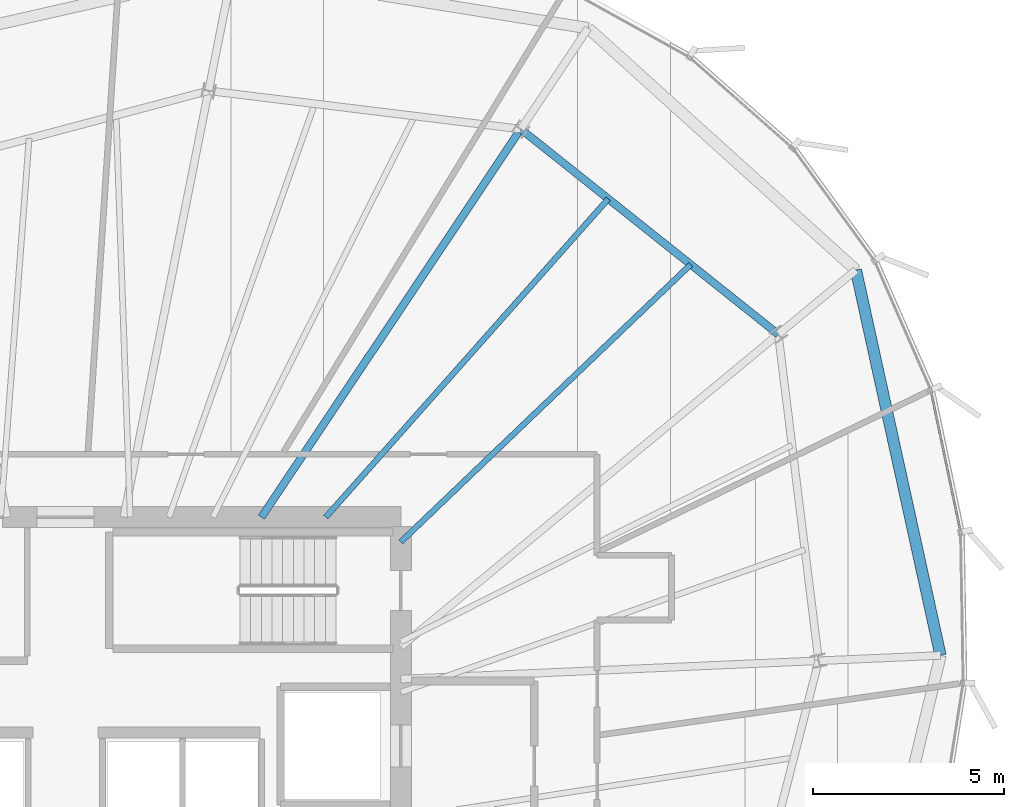
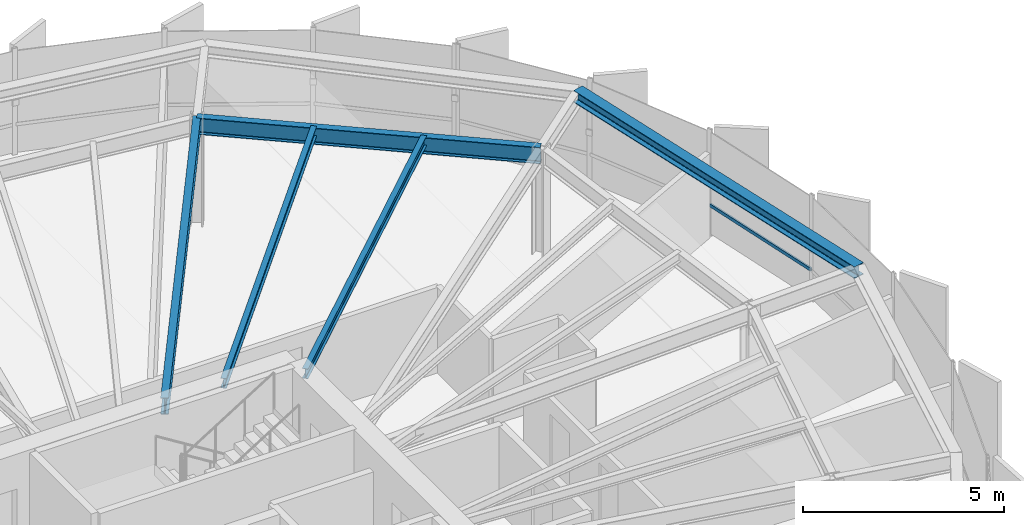
# One storey, part 25 of 35: 5 beams, 1 member, 1 element without a shape of its own.
"""IFC4 building model written with IfcOpenShell, lengths in metres."""

from ifc_helpers import new_model, si_unit, direction, frame, origin, origin_2d, place, context, subcontext, project, spatial, hollow_rectangle, i_section, extrude, source, transform, mapped, material, layer, layer_set, material_profile, profile_set, type_object, element, aggregate, save


model = new_model("IFC4")

# Units and contexts
model_context = context("Model", 3, precision=1e-05, world=origin(), true_north=direction((0.0, 1.0)))
body_context = subcontext(model_context, "Body", "Model", "MODEL_VIEW")
ifc_project = project(units=[si_unit("LENGTHUNIT", "METRE"), si_unit("AREAUNIT", "SQUARE_METRE"), si_unit("VOLUMEUNIT", "CUBIC_METRE"), si_unit("PLANEANGLEUNIT", "RADIAN"), si_unit("MASSUNIT", "GRAM", prefix="KILO"), si_unit("THERMODYNAMICTEMPERATUREUNIT", "KELVIN")], contexts=[model_context])

# Site, building, storey
site_placement = place(None, origin())
site = spatial("IfcSite", under=ifc_project, at=site_placement, CompositionType="ELEMENT")
building_placement = place(site_placement, origin())
building = spatial("IfcBuilding", under=site, at=building_placement, Name="Kethvar Cultural Tower", CompositionType="ELEMENT")
storey_placement = place(building_placement, frame((0.0, 0.0, 204.39990234375)))
storey = spatial("IfcBuildingStorey", under=building, at=storey_placement, Name="L53", CompositionType="ELEMENT", Elevation=204.39990234375)

# Beams
ifc_material_1 = material(Name="Steel S355J2", Category="steel")
ifc_material_profile_1 = material_profile(ifc_material_1, i_section(OverallWidth=0.199951171875, OverallDepth=0.5, WebThickness=0.01025390625, FlangeThickness=0.01611328125, FilletRadius=0.02099609375, at=origin_2d()), Name="Steel S355J2 — IPE500")
ifc_profile_set_1 = profile_set([ifc_material_profile_1], Name="Steel S355J2 — IPE500")
beam_type_1 = type_object("IfcBeamType", Name="BM-IPE500", PredefinedType="BEAM", material=ifc_profile_set_1)
shared_shape_1 = source(origin(), body_context, "Body", "SweptSolid", [
    extrude(i_section(OverallWidth=0.199951171875, OverallDepth=0.5, WebThickness=0.01025390625, FlangeThickness=0.01611328125, FilletRadius=0.02099609375, at=origin_2d()), origin(), (0.0, 0.0, 1.0), 12.2451171875),
])
beam_1_placement = place(storey_placement, frame((51.945068359375, 35.5, 3.008056640625), z_axis=(0.555569492312, 0.831470107227, 0.0), x_axis=(-0.831470107227, 0.555569492312, 0.0)))
element("IfcBeam", 1, at=beam_1_placement, inside=storey, type_object=beam_type_1, Name="L53 Primary Radial Beam RB-03", PredefinedType="BEAM", context=body_context, shape_type="MappedRepresentation", body=[
    mapped(shared_shape_1, transform((0.0, 0.0, 0.0), scale=1.0)),
])
shared_shape_2 = source(origin(), body_context, "Body", "SweptSolid", [
    extrude(i_section(OverallWidth=0.199951171875, OverallDepth=0.5, WebThickness=0.01025390625, FlangeThickness=0.01611328125, FilletRadius=0.02099609375, at=origin_2d()), origin(), (0.0, 0.0, 1.0), 8.638916015625),
])
beam_2_placement = place(storey_placement, frame((65.504150390625, 40.297607421875, 3.008056640625), z_axis=(-0.782058475366, 0.623205055425, 0.0), x_axis=(-0.623205055425, -0.782058475366, 0.0)))
element("IfcBeam", 2, at=beam_2_placement, inside=storey, type_object=beam_type_1, Name="L53 Column Ring Tie Beam CR-02", PredefinedType="BEAM", context=body_context, shape_type="MappedRepresentation", body=[
    mapped(shared_shape_2, transform((0.0, 0.0, 0.0), scale=1.0)),
])
ifc_material_profile_2 = material_profile(ifc_material_1, i_section(OverallWidth=0.14990234375, OverallDepth=0.300048828125, WebThickness=0.007080078125, FlangeThickness=0.0107421875, FilletRadius=0.014892578125, at=origin_2d()), Name="Steel S355J2 — IPE300")
ifc_profile_set_2 = profile_set([ifc_material_profile_2], Name="Steel S355J2 — IPE300")
beam_type_2 = type_object("IfcBeamType", Name="BM-J300", PredefinedType="JOIST", material=ifc_profile_set_2)
shared_shape_3 = source(origin(), body_context, "Body", "SweptSolid", [
    extrude(i_section(OverallWidth=0.14990234375, OverallDepth=0.300048828125, WebThickness=0.007080078125, FlangeThickness=0.0107421875, FilletRadius=0.014892578125, at=origin_2d()), origin(), (0.0, 0.0, 1.0), 10.52783203125),
])
beam_3_placement = place(storey_placement, frame((55.60009765625, 34.85009765625, 3.108154296875), z_axis=(0.722552708299, 0.691315835006, 0.0), x_axis=(-0.691315835006, 0.722552708299, 0.0)))
element("IfcBeam", 3, at=beam_3_placement, inside=storey, type_object=beam_type_2, Name="L53 Composite Floor Joist J-02A", PredefinedType="JOIST", context=body_context, shape_type="MappedRepresentation", body=[
    mapped(shared_shape_3, transform((0.0, 0.0, 0.0), scale=1.0)),
])
shared_shape_4 = source(origin(), body_context, "Body", "SweptSolid", [
    extrude(i_section(OverallWidth=0.14990234375, OverallDepth=0.300048828125, WebThickness=0.007080078125, FlangeThickness=0.0107421875, FilletRadius=0.014892578125, at=origin_2d()), origin(), (0.0, 0.0, 1.0), 11.16552734375),
])
beam_4_placement = place(storey_placement, frame((53.6337890625, 35.5, 3.108154296875), z_axis=(0.663773261048, 0.747933859321, 0.0), x_axis=(-0.747933859321, 0.663773261048, 0.0)))
element("IfcBeam", 4, at=beam_4_placement, inside=storey, type_object=beam_type_2, Name="L53 Composite Floor Joist J-02B", PredefinedType="JOIST", context=body_context, shape_type="MappedRepresentation", body=[
    mapped(shared_shape_4, transform((0.0, 0.0, 0.0), scale=1.0)),
])
ifc_material_profile_3 = material_profile(ifc_material_1, i_section(OverallWidth=0.300048828125, OverallDepth=0.360107421875, WebThickness=0.012451171875, FlangeThickness=0.0224609375, FilletRadius=0.027099609375, at=origin_2d()), Name="Steel S355J2 — HEB360")
ifc_profile_set_3 = profile_set([ifc_material_profile_3], Name="Steel S355J2 — HEB360")
beam_type_3 = type_object("IfcBeamType", Name="BM-SP360", PredefinedType="SPANDREL", material=ifc_profile_set_3)
shared_shape_5 = source(origin(), body_context, "Body", "SweptSolid", [
    extrude(i_section(OverallWidth=0.300048828125, OverallDepth=0.360107421875, WebThickness=0.012451171875, FlangeThickness=0.0224609375, FilletRadius=0.027099609375, at=origin_2d()), origin(), (0.0, 0.0, 1.0), 10.352783203125),
])
beam_5_placement = place(storey_placement, frame((69.760986328125, 31.87158203125, 3.078125), z_axis=(-0.214457778425, 0.976733260042, 0.0), x_axis=(-0.976733260042, -0.214457778425, 0.0)))
element("IfcBeam", 5, at=beam_5_placement, inside=storey, type_object=beam_type_3, Name="L53 Perimeter Spandrel Beam SP-01", PredefinedType="SPANDREL", context=body_context, shape_type="MappedRepresentation", body=[
    mapped(shared_shape_5, transform((0.0, 0.0, 0.0), scale=1.0)),
])

# Curtain wall, member
ifc_material_2 = material(Name="Aluminium 6063-T6", Category="aluminium")
ifc_layer = layer(ifc_material_2, 0.179931640625, Name="Aluminium 6063-T6", Category="aluminium")
ifc_layer_set = layer_set([ifc_layer], Name="Aluminium 6063-T6 (180 mm)")
curtain_wall_type = type_object("IfcCurtainWallType", Name="CW-SYS-04-Z34", PredefinedType="NOTDEFINED", material=ifc_layer_set)
curtain_wall_placement = place(storey_placement, origin())
curtain_wall = element("IfcCurtainWall", 6, at=curtain_wall_placement, inside=storey, type_object=curtain_wall_type, Name="L53 Curtain Wall Run 06", PredefinedType="NOTDEFINED")
ifc_material_profile_4 = material_profile(ifc_material_2, hollow_rectangle(XDim=0.050048828125, YDim=0.10009765625, WallThickness=0.00390625, at=origin_2d()), Name="Aluminium 6063-T6 — RHS100x50x4")
ifc_profile_set_4 = profile_set([ifc_material_profile_4], Name="Aluminium 6063-T6 — RHS100x50x4")
member_type = type_object("IfcMemberType", Name="CW-SYS-04-Z34-TRN", PredefinedType="USERDEFINED", material=ifc_profile_set_4)
shared_shape_6 = source(origin(), body_context, "Body", "SweptSolid", [
    extrude(hollow_rectangle(XDim=0.050048828125, YDim=0.10009765625, WallThickness=0.00390625, at=origin_2d()), origin(), (0.0, 0.0, 1.0), 3.747802734375),
])
member_placement = place(storey_placement, frame((70.278564453125, 35.145751953125, 0.9501953125), z_axis=(-0.205327563096, 0.978693308362, 0.0), x_axis=(-0.978693308362, -0.205327563096, 0.0)))
member = element("IfcMember", 7, at=member_placement, type_object=member_type, Name="CW-L53-R06 Transom 4", ObjectType="TRANSOM", PredefinedType="USERDEFINED", context=body_context, shape_type="MappedRepresentation", body=[
    mapped(shared_shape_6, transform((0.0, 0.0, 0.0), scale=1.0)),
])
aggregate(curtain_wall, [member])

save(model, "model.ifc")
